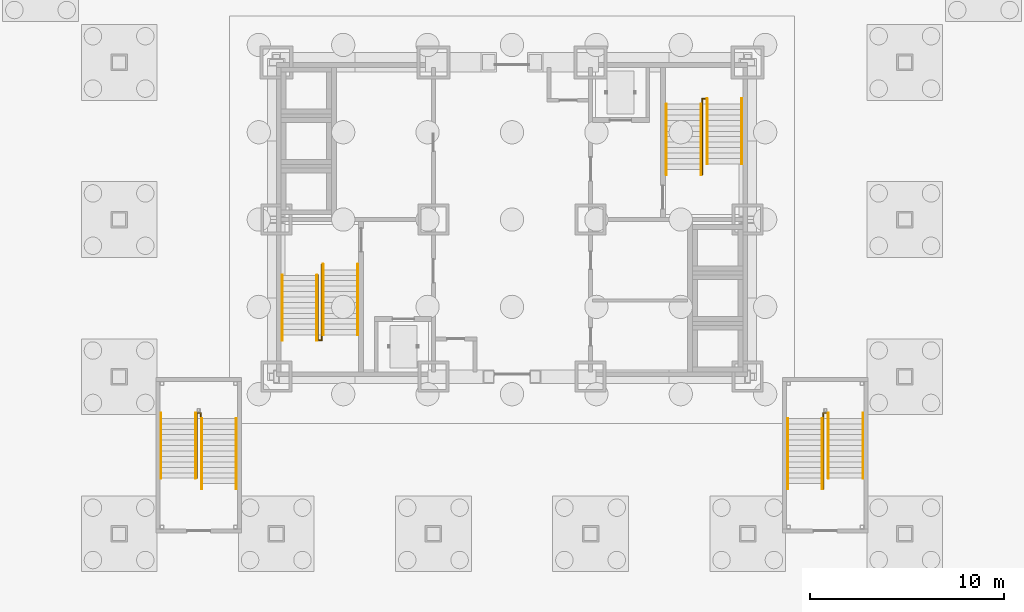
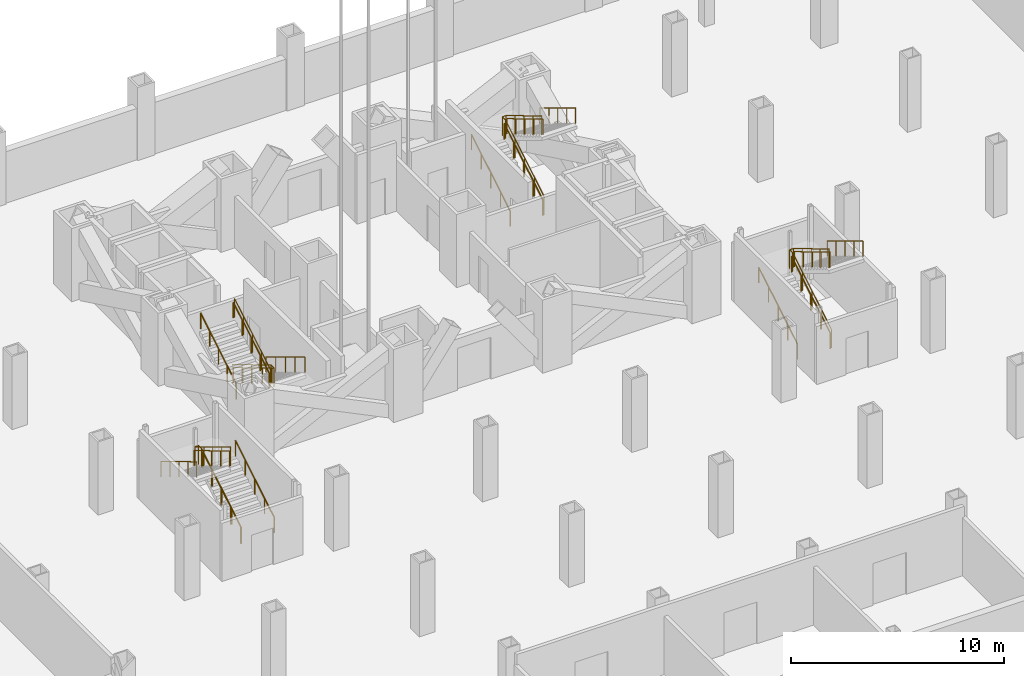
# One storey, part 14 of 17: 20 railings.
"""IFC4 building model written with IfcOpenShell, lengths in metres."""

import ifcopenshell
import ifcopenshell.guid

model = None  # the IFC model being written
_history = None  # IfcOwnerHistory: only IFC2X3 demands one
_inside = {}  # id of a spatial element -> (the spatial element, [elements in it])
_under = {}  # id of a project, library or spatial element -> (it, [spatial elements below it])
_declared = {}  # id of a project -> (the project, [libraries it declares])
_typed = {}  # id of a type object -> (the type object, [elements of that type])
_made_of = {}  # id of a material, layer set ... -> (it, [elements and type objects made of it])


def new_model(schema):
    """Start an empty IFC model of exactly this schema.

    Asked for "IFC4X3", IfcOpenShell would pick the latest addendum, in which some entities
    have other attributes; the version numbers below select the first issue.
    IFC2X3 requires an IfcOwnerHistory on every rooted entity: one is made here for all.
    """
    global model, _history
    if schema == "IFC4X3":
        model = ifcopenshell.file(schema_version=(4, 3, 0, 0))
    else:
        model = ifcopenshell.file(schema=schema)
    _inside.clear()
    _under.clear()
    _declared.clear()
    _typed.clear()
    _made_of.clear()
    _history = None
    if model.schema == "IFC2X3":
        org = make("IfcOrganization", Name="unknown")
        user = make(
            "IfcPersonAndOrganization",
            ThePerson=make("IfcPerson", FamilyName="unknown"),
            TheOrganization=org,
        )
        app = make(
            "IfcApplication",
            ApplicationDeveloper=org,
            Version="unknown",
            ApplicationFullName="unknown",
            ApplicationIdentifier="unknown",
        )
        _history = make(
            "IfcOwnerHistory",
            OwningUser=user,
            OwningApplication=app,
            ChangeAction="ADDED",
            CreationDate=0,
        )
    return model


def make(cls, **values):
    """One entity of the class cls with the attributes given. An attribute that is None is left unset."""
    return model.create_entity(
        cls, **{name: value for name, value in values.items() if value is not None}
    )


def rooted(cls, **values):
    """An entity with a GlobalId (a new one), such as an element, a storey or a relation."""
    return make(cls, GlobalId=ifcopenshell.guid.new(), OwnerHistory=_history, **values)


def si_unit(unit_type, name, prefix=None):
    """IfcSIUnit, for example si_unit("LENGTHUNIT", "METRE", prefix="MILLI")."""
    return make("IfcSIUnit", UnitType=unit_type, Prefix=prefix, Name=name)


def assignment(units):
    """IfcUnitAssignment: the units of a project."""
    return None if units is None else make("IfcUnitAssignment", Units=units)


def point(xyz):
    """IfcCartesianPoint."""
    return None if xyz is None else make("IfcCartesianPoint", Coordinates=xyz)


def direction(xyz):
    """IfcDirection."""
    return None if xyz is None else make("IfcDirection", DirectionRatios=xyz)


def frame(location, z_axis=None, x_axis=None):
    """IfcAxis2Placement3D, a coordinate frame: its origin and axes. An axis left out is left unset."""
    return make(
        "IfcAxis2Placement3D",
        Location=point(location),
        Axis=direction(z_axis),
        RefDirection=direction(x_axis),
    )


def frame_2d(location, x_axis=None):
    """IfcAxis2Placement2D, a coordinate frame in the plane: its origin and x axis."""
    return make(
        "IfcAxis2Placement2D", Location=point(location), RefDirection=direction(x_axis)
    )


def origin():
    """The frame at (0, 0, 0) with its axes left unset."""
    return frame((0.0, 0.0, 0.0))


def origin_2d():
    """The frame at (0, 0) in the plane with its x axis left unset."""
    return frame_2d((0.0, 0.0))


def place(relative_to, where):
    """IfcLocalPlacement: puts the frame where relative to a parent placement (None: the world)."""
    return make(
        "IfcLocalPlacement", PlacementRelTo=relative_to, RelativePlacement=where
    )


def context(
    kind, dimensions, precision=None, world=None, true_north=None, identifier=None
):
    """IfcGeometricRepresentationContext, for example the 3D "Model" context."""
    return make(
        "IfcGeometricRepresentationContext",
        ContextIdentifier=identifier,
        ContextType=kind,
        CoordinateSpaceDimension=dimensions,
        Precision=precision,
        WorldCoordinateSystem=world,
        TrueNorth=true_north,
    )


def subcontext(parent, identifier, kind, view, scale=None):
    """IfcGeometricRepresentationSubContext, for example "Body" below "Model"."""
    return make(
        "IfcGeometricRepresentationSubContext",
        ContextIdentifier=identifier,
        ContextType=kind,
        ParentContext=parent,
        TargetScale=scale,
        TargetView=view,
    )


def project(units=None, contexts=None):
    """IfcProject with its units and contexts."""
    return rooted(
        "IfcProject",
        Name="project",
        RepresentationContexts=contexts,
        UnitsInContext=assignment(units),
    )


def spatial(cls, under=None, at=None, **own):
    """A site, building, storey or space (cls), placed at a placement, below another one or the project."""
    s = rooted(cls, ObjectPlacement=at, **own)
    if under is not None:
        _under.setdefault(under.id(), (under, []))[1].append(s)
    return s


def profile(cls, at=None, kind="AREA", **sizes):
    """A parametric profile (cls). Its sizes go by their IFC names, for example OverallWidth=200.0."""
    return make(cls, ProfileType=kind, Position=at, **sizes)


def circle(**sizes):
    """IfcCircleProfileDef."""
    return profile("IfcCircleProfileDef", **sizes)


def extrude(swept, where, along, depth):
    """IfcExtrudedAreaSolid: the profile swept, set in the frame where, extruded along a direction by depth."""
    return make(
        "IfcExtrudedAreaSolid",
        SweptArea=swept,
        Position=where,
        ExtrudedDirection=direction(along),
        Depth=depth,
    )


def shape(context_of_items, identifier, shape_type, items):
    """IfcShapeRepresentation: the items that make up one representation, for example the "Body"."""
    return make(
        "IfcShapeRepresentation",
        ContextOfItems=context_of_items,
        RepresentationIdentifier=identifier,
        RepresentationType=shape_type,
        Items=items,
    )


def material(Name=None, Category=None):
    """IfcMaterial."""
    return make("IfcMaterial", Name=Name, Category=Category)


def made_of(thing, what):
    """Note that an element or type object is made of a material, layer set ...; save() writes the relation."""
    if what is not None:
        _made_of.setdefault(what.id(), (what, []))[1].append(thing)
    return thing


def type_object(cls, material=None, **own):
    """A type object (cls), such as IfcWallType, which elements share."""
    return made_of(rooted(cls, **own), material)


def element(
    cls,
    number,
    at=None,
    inside=None,
    cuts=None,
    type_object=None,
    material=None,
    context=None,
    identifier="Body",
    shape_type=None,
    held_by="IfcProductDefinitionShape",
    body=None,
    shapes=None,
    **own,
):
    """One element of the class cls, such as IfcWall. Its Tag is "e" and its number.

    at: its placement. inside: the storey or other place that contains it. cuts: it is an
    opening in that element (IfcRelVoidsElement). A single representation is given by context,
    identifier, shape_type and body (its items); several are given by shapes. held_by: the class
    of the entity that holds the representations. save() writes the other relations.
    """
    e = rooted(cls, Tag="e%d" % number, ObjectPlacement=at, **own)
    if body is not None:
        shapes = [shape(context, identifier, shape_type, body)]
    if shapes is not None:
        e.Representation = make(held_by, Representations=shapes)
    if inside is not None:
        _inside.setdefault(inside.id(), (inside, []))[1].append(e)
    if cuts is not None:
        rooted(
            "IfcRelVoidsElement", RelatingBuildingElement=cuts, RelatedOpeningElement=e
        )
    if type_object is not None:
        _typed.setdefault(type_object.id(), (type_object, []))[1].append(e)
    return made_of(e, material)


def aggregate(whole, parts):
    """IfcRelAggregates: a whole, such as a stair, and the parts it consists of."""
    return rooted("IfcRelAggregates", RelatingObject=whole, RelatedObjects=parts)


def save(model, path):
    """Write the relations noted so far, then the file.

    IfcRelAggregates (storeys below a building ...), IfcRelContainedInSpatialStructure (elements
    in a storey), IfcRelDefinesByType, IfcRelAssociatesMaterial and IfcRelDeclares: one each for
    every whole, place, type object, material and project.
    """
    for whole, parts in _under.values():
        aggregate(whole, parts)
    for where, things in _inside.values():
        rooted(
            "IfcRelContainedInSpatialStructure",
            RelatedElements=things,
            RelatingStructure=where,
        )
    for kind, things in _typed.values():
        rooted("IfcRelDefinesByType", RelatedObjects=things, RelatingType=kind)
    for what, things in _made_of.values():
        rooted("IfcRelAssociatesMaterial", RelatedObjects=things, RelatingMaterial=what)
    for by, libraries in _declared.values():
        rooted("IfcRelDeclares", RelatingContext=by, RelatedDefinitions=libraries)
    model.write(path)


model = new_model("IFC4")

# Units and contexts
model_context = context("Model", 3, precision=1e-05, world=origin(), true_north=direction((0.0, 1.0)))
body_context = subcontext(model_context, "Body", "Model", "MODEL_VIEW")
ifc_project = project(units=[si_unit("LENGTHUNIT", "METRE"), si_unit("AREAUNIT", "SQUARE_METRE"), si_unit("VOLUMEUNIT", "CUBIC_METRE"), si_unit("PLANEANGLEUNIT", "RADIAN"), si_unit("MASSUNIT", "GRAM", prefix="KILO")], contexts=[model_context])

# Site, building, storey
site_placement = place(None, origin())
site = spatial("IfcSite", under=ifc_project, at=site_placement, CompositionType="ELEMENT")
building_placement = place(site_placement, origin())
building = spatial("IfcBuilding", under=site, at=building_placement, Name="Kopane Lantern Tower", CompositionType="ELEMENT")
storey_placement = place(building_placement, frame((0.0, 0.0, -8.39990234375)))
storey = spatial("IfcBuildingStorey", under=building, at=storey_placement, Name="L-02", CompositionType="ELEMENT", Elevation=-8.39990234375)

# Railings
ifc_material_1 = material(Name="Steel", Category="steel")
railing_type_1 = type_object("IfcRailingType", Name="STAIR GUARD 1100", PredefinedType="GUARDRAIL", material=ifc_material_1)
railing_1_placement = place(storey_placement, frame((18.550048828125, 30.090087890625, 0.0)))
element("IfcRailing", 1, at=railing_1_placement, inside=storey, type_object=railing_type_1, Name="ST1 well guard L-02", PredefinedType="GUARDRAIL", context=body_context, shape_type="SweptSolid", body=[
    extrude(circle(Radius=0.02392578125, at=origin_2d()), frame((0.0, 0.0, 1.076171875), z_axis=(0.0, -0.857518298036, 0.514453465858), x_axis=(1.0, 0.0, 0.0)), (0.0, 0.0, 1.0), 4.244873046875),
    extrude(circle(Radius=0.02392578125, at=origin_2d()), frame((0.0, -3.64013671875, 3.259765625), z_axis=(0.0, -1.0, 0.0), x_axis=(1.0, 0.0, 0.0)), (0.0, 0.0, 1.0), 0.280029296875),
    extrude(circle(Radius=0.02392578125, at=origin_2d()), frame((0.0, -3.920166015625, 3.259765625), z_axis=(-1.0, 0.0, 0.0), x_axis=(0.0, -1.0, 0.0)), (0.0, 0.0, 1.0), 0.199951171875),
    extrude(circle(Radius=0.02392578125, at=origin_2d()), frame((-0.199951171875, -3.920166015625, 3.259765625), z_axis=(0.0, 0.857487428268, 0.514504917724), x_axis=(-1.0, 0.0, 0.0)), (0.0, 0.0, 1.0), 3.91845703125),
    extrude(circle(Radius=0.02099609375, at=origin_2d()), origin(), (0.0, 0.0, 1.0), 1.052001953125),
    extrude(circle(Radius=0.02099609375, at=origin_2d()), frame((0.0, -0.91015625, 0.5458984375)), (0.0, 0.0, 1.0), 1.052001953125),
    extrude(circle(Radius=0.02099609375, at=origin_2d()), frame((0.0, -1.820068359375, 1.091796875)), (0.0, 0.0, 1.0), 1.052001953125),
    extrude(circle(Radius=0.02099609375, at=origin_2d()), frame((0.0, -2.72998046875, 1.637939453125)), (0.0, 0.0, 1.0), 1.052001953125),
    extrude(circle(Radius=0.02099609375, at=origin_2d()), frame((0.0, -3.64013671875, 2.183837890625)), (0.0, 0.0, 1.0), 1.052001953125),
    extrude(circle(Radius=0.02099609375, at=origin_2d()), frame((0.0, -3.920166015625, 2.183837890625)), (0.0, 0.0, 1.0), 1.052001953125),
    extrude(circle(Radius=0.02099609375, at=origin_2d()), frame((-0.199951171875, -3.920166015625, 2.183837890625)), (0.0, 0.0, 1.0), 1.052001953125),
    extrude(circle(Radius=0.02099609375, at=origin_2d()), frame((-0.199951171875, -3.080078125, 2.68798828125)), (0.0, 0.0, 1.0), 1.052001953125),
    extrude(circle(Radius=0.02099609375, at=origin_2d()), frame((-0.199951171875, -2.240234375, 3.19189453125)), (0.0, 0.0, 1.0), 1.052001953125),
    extrude(circle(Radius=0.02099609375, at=origin_2d()), frame((-0.199951171875, -1.400146484375, 3.69580078125)), (0.0, 0.0, 1.0), 1.052001953125),
    extrude(circle(Radius=0.02099609375, at=origin_2d()), frame((-0.199951171875, -0.56005859375, 4.199951171875)), (0.0, 0.0, 1.0), 1.052001953125),
])
railing_2_placement = place(storey_placement, frame((38.14990234375, 34.7099609375, 0.0)))
element("IfcRailing", 2, at=railing_2_placement, inside=storey, type_object=railing_type_1, Name="ST2 well guard L-02", PredefinedType="GUARDRAIL", context=body_context, shape_type="SweptSolid", body=[
    extrude(circle(Radius=0.02392578125, at=origin_2d()), frame((0.0, 0.0, 1.076171875), z_axis=(0.0, 0.857518298036, 0.514453465858), x_axis=(-1.0, 0.0, 0.0)), (0.0, 0.0, 1.0), 4.244873046875),
    extrude(circle(Radius=0.02392578125, at=origin_2d()), frame((0.0, 3.64013671875, 3.259765625), z_axis=(0.0, 1.0, 0.0), x_axis=(-1.0, 0.0, 0.0)), (0.0, 0.0, 1.0), 0.27978515625),
    extrude(circle(Radius=0.02392578125, at=origin_2d()), frame((0.0, 3.919921875, 3.259765625), z_axis=(1.0, 0.0, 0.0), x_axis=(0.0, 1.0, 0.0)), (0.0, 0.0, 1.0), 0.2001953125),
    extrude(circle(Radius=0.02392578125, at=origin_2d()), frame((0.2001953125, 3.919921875, 3.259765625), z_axis=(0.0, -0.857470934172, 0.51453240622), x_axis=(1.0, 0.0, 0.0)), (0.0, 0.0, 1.0), 3.91845703125),
    extrude(circle(Radius=0.02099609375, at=origin_2d()), origin(), (0.0, 0.0, 1.0), 1.052001953125),
    extrude(circle(Radius=0.02099609375, at=origin_2d()), frame((0.0, 0.91015625, 0.5458984375)), (0.0, 0.0, 1.0), 1.052001953125),
    extrude(circle(Radius=0.02099609375, at=origin_2d()), frame((0.0, 1.820068359375, 1.091796875)), (0.0, 0.0, 1.0), 1.052001953125),
    extrude(circle(Radius=0.02099609375, at=origin_2d()), frame((0.0, 2.72998046875, 1.637939453125)), (0.0, 0.0, 1.0), 1.052001953125),
    extrude(circle(Radius=0.02099609375, at=origin_2d()), frame((0.0, 3.64013671875, 2.183837890625)), (0.0, 0.0, 1.0), 1.052001953125),
    extrude(circle(Radius=0.02099609375, at=origin_2d()), frame((0.0, 3.919921875, 2.183837890625)), (0.0, 0.0, 1.0), 1.052001953125),
    extrude(circle(Radius=0.02099609375, at=origin_2d()), frame((0.2001953125, 3.919921875, 2.183837890625)), (0.0, 0.0, 1.0), 1.052001953125),
    extrude(circle(Radius=0.02099609375, at=origin_2d()), frame((0.2001953125, 3.080078125, 2.68798828125)), (0.0, 0.0, 1.0), 1.052001953125),
    extrude(circle(Radius=0.02099609375, at=origin_2d()), frame((0.2001953125, 2.239990234375, 3.19189453125)), (0.0, 0.0, 1.0), 1.052001953125),
    extrude(circle(Radius=0.02099609375, at=origin_2d()), frame((0.2001953125, 1.39990234375, 3.69580078125)), (0.0, 0.0, 1.0), 1.052001953125),
    extrude(circle(Radius=0.02099609375, at=origin_2d()), frame((0.2001953125, 0.56005859375, 4.199951171875)), (0.0, 0.0, 1.0), 1.052001953125),
])
railing_3_placement = place(storey_placement, frame((12.300048828125, 18.510009765625, 0.0)))
element("IfcRailing", 3, at=railing_3_placement, inside=storey, type_object=railing_type_1, Name="ST3 well guard L-02", PredefinedType="GUARDRAIL", context=body_context, shape_type="SweptSolid", body=[
    extrude(circle(Radius=0.02392578125, at=origin_2d()), frame((0.0, 0.0, 1.076171875), z_axis=(0.0, 0.857503075393, 0.514478838915), x_axis=(-1.0, 0.0, 0.0)), (0.0, 0.0, 1.0), 4.244873046875),
    extrude(circle(Radius=0.02392578125, at=origin_2d()), frame((0.0, 3.639892578125, 3.259765625), z_axis=(0.0, 1.0, 0.0), x_axis=(-1.0, 0.0, 0.0)), (0.0, 0.0, 1.0), 0.280029296875),
    extrude(circle(Radius=0.02392578125, at=origin_2d()), frame((0.0, 3.919921875, 3.259765625), z_axis=(-1.0, 0.0, 0.0), x_axis=(0.0, -1.0, 0.0)), (0.0, 0.0, 1.0), 0.199951171875),
    extrude(circle(Radius=0.02392578125, at=origin_2d()), frame((-0.199951171875, 3.919921875, 3.259765625), z_axis=(0.0, -0.857470934172, 0.51453240622), x_axis=(1.0, 0.0, 0.0)), (0.0, 0.0, 1.0), 3.91845703125),
    extrude(circle(Radius=0.02099609375, at=origin_2d()), origin(), (0.0, 0.0, 1.0), 1.052001953125),
    extrude(circle(Radius=0.02099609375, at=origin_2d()), frame((0.0, 0.909912109375, 0.5458984375)), (0.0, 0.0, 1.0), 1.052001953125),
    extrude(circle(Radius=0.02099609375, at=origin_2d()), frame((0.0, 1.81982421875, 1.091796875)), (0.0, 0.0, 1.0), 1.052001953125),
    extrude(circle(Radius=0.02099609375, at=origin_2d()), frame((0.0, 2.72998046875, 1.637939453125)), (0.0, 0.0, 1.0), 1.052001953125),
    extrude(circle(Radius=0.02099609375, at=origin_2d()), frame((0.0, 3.639892578125, 2.183837890625)), (0.0, 0.0, 1.0), 1.052001953125),
    extrude(circle(Radius=0.02099609375, at=origin_2d()), frame((0.0, 3.919921875, 2.183837890625)), (0.0, 0.0, 1.0), 1.052001953125),
    extrude(circle(Radius=0.02099609375, at=origin_2d()), frame((-0.199951171875, 3.919921875, 2.183837890625)), (0.0, 0.0, 1.0), 1.052001953125),
    extrude(circle(Radius=0.02099609375, at=origin_2d()), frame((-0.199951171875, 3.080078125, 2.68798828125)), (0.0, 0.0, 1.0), 1.052001953125),
    extrude(circle(Radius=0.02099609375, at=origin_2d()), frame((-0.199951171875, 2.239990234375, 3.19189453125)), (0.0, 0.0, 1.0), 1.052001953125),
    extrude(circle(Radius=0.02099609375, at=origin_2d()), frame((-0.199951171875, 1.39990234375, 3.69580078125)), (0.0, 0.0, 1.0), 1.052001953125),
    extrude(circle(Radius=0.02099609375, at=origin_2d()), frame((-0.199951171875, 0.56005859375, 4.199951171875)), (0.0, 0.0, 1.0), 1.052001953125),
])
railing_4_placement = place(storey_placement, frame((44.39990234375, 18.510009765625, 0.0)))
element("IfcRailing", 4, at=railing_4_placement, inside=storey, type_object=railing_type_1, Name="ST4 well guard L-02", PredefinedType="GUARDRAIL", context=body_context, shape_type="SweptSolid", body=[
    extrude(circle(Radius=0.02392578125, at=origin_2d()), frame((0.0, 0.0, 1.076171875), z_axis=(0.0, 0.857503075393, 0.514478838915), x_axis=(-1.0, 0.0, 0.0)), (0.0, 0.0, 1.0), 4.244873046875),
    extrude(circle(Radius=0.02392578125, at=origin_2d()), frame((0.0, 3.639892578125, 3.259765625), z_axis=(0.0, 1.0, 0.0), x_axis=(-1.0, 0.0, 0.0)), (0.0, 0.0, 1.0), 0.280029296875),
    extrude(circle(Radius=0.02392578125, at=origin_2d()), frame((0.0, 3.919921875, 3.259765625), z_axis=(1.0, 0.0, 0.0), x_axis=(0.0, 1.0, 0.0)), (0.0, 0.0, 1.0), 0.2001953125),
    extrude(circle(Radius=0.02392578125, at=origin_2d()), frame((0.2001953125, 3.919921875, 3.259765625), z_axis=(0.0, -0.857470934172, 0.51453240622), x_axis=(1.0, 0.0, 0.0)), (0.0, 0.0, 1.0), 3.91845703125),
    extrude(circle(Radius=0.02099609375, at=origin_2d()), origin(), (0.0, 0.0, 1.0), 1.052001953125),
    extrude(circle(Radius=0.02099609375, at=origin_2d()), frame((0.0, 0.909912109375, 0.5458984375)), (0.0, 0.0, 1.0), 1.052001953125),
    extrude(circle(Radius=0.02099609375, at=origin_2d()), frame((0.0, 1.81982421875, 1.091796875)), (0.0, 0.0, 1.0), 1.052001953125),
    extrude(circle(Radius=0.02099609375, at=origin_2d()), frame((0.0, 2.72998046875, 1.637939453125)), (0.0, 0.0, 1.0), 1.052001953125),
    extrude(circle(Radius=0.02099609375, at=origin_2d()), frame((0.0, 3.639892578125, 2.183837890625)), (0.0, 0.0, 1.0), 1.052001953125),
    extrude(circle(Radius=0.02099609375, at=origin_2d()), frame((0.0, 3.919921875, 2.183837890625)), (0.0, 0.0, 1.0), 1.052001953125),
    extrude(circle(Radius=0.02099609375, at=origin_2d()), frame((0.2001953125, 3.919921875, 2.183837890625)), (0.0, 0.0, 1.0), 1.052001953125),
    extrude(circle(Radius=0.02099609375, at=origin_2d()), frame((0.2001953125, 3.080078125, 2.68798828125)), (0.0, 0.0, 1.0), 1.052001953125),
    extrude(circle(Radius=0.02099609375, at=origin_2d()), frame((0.2001953125, 2.239990234375, 3.19189453125)), (0.0, 0.0, 1.0), 1.052001953125),
    extrude(circle(Radius=0.02099609375, at=origin_2d()), frame((0.2001953125, 1.39990234375, 3.69580078125)), (0.0, 0.0, 1.0), 1.052001953125),
    extrude(circle(Radius=0.02099609375, at=origin_2d()), frame((0.2001953125, 0.56005859375, 4.199951171875)), (0.0, 0.0, 1.0), 1.052001953125),
])
ifc_material_2 = material(Name="Steel", Category="steel")
railing_type_2 = type_object("IfcRailingType", Name="STAIR HANDRAIL 900", PredefinedType="HANDRAIL", material=ifc_material_2)
for number, where, name in (
    (5, (20.389892578125, 30.090087890625, 0.0), "ST1 handrail L-02 flight 1"),
    (6, (18.610107421875, 30.090087890625, 0.0), "ST1 handrail L-02 flight 1"),
):
    element("IfcRailing", number, at=place(storey_placement, frame(where)), inside=storey, type_object=railing_type_2, Name=name, PredefinedType="HANDRAIL", context=body_context, shape_type="SweptSolid", body=[
        extrude(circle(Radius=0.02392578125, at=origin_2d()), frame((0.0, 0.0, 0.8759765625), z_axis=(0.0, -0.857518298036, 0.514453465858), x_axis=(1.0, 0.0, 0.0)), (0.0, 0.0, 1.0), 4.244873046875),
        extrude(circle(Radius=0.02099609375, at=origin_2d()), origin(), (0.0, 0.0, 1.0), 0.851806640625),
        extrude(circle(Radius=0.02099609375, at=origin_2d()), frame((0.0, -0.91015625, 0.5458984375)), (0.0, 0.0, 1.0), 0.851806640625),
        extrude(circle(Radius=0.02099609375, at=origin_2d()), frame((0.0, -1.820068359375, 1.091796875)), (0.0, 0.0, 1.0), 0.851806640625),
        extrude(circle(Radius=0.02099609375, at=origin_2d()), frame((0.0, -2.72998046875, 1.637939453125)), (0.0, 0.0, 1.0), 0.851806640625),
        extrude(circle(Radius=0.02099609375, at=origin_2d()), frame((0.0, -3.64013671875, 2.183837890625)), (0.0, 0.0, 1.0), 0.851806640625),
    ])
for number, where, name in (
    (7, (16.510009765625, 26.169921875, 2.183837890625), "ST1 handrail L-02 flight 2"),
    (8, (18.2900390625, 26.169921875, 2.183837890625), "ST1 handrail L-02 flight 2"),
):
    element("IfcRailing", number, at=place(storey_placement, frame(where)), inside=storey, type_object=railing_type_2, Name=name, PredefinedType="HANDRAIL", context=body_context, shape_type="SweptSolid", body=[
        extrude(circle(Radius=0.02392578125, at=origin_2d()), frame((0.0, 0.0, 0.8759765625), z_axis=(0.0, 0.857487428268, 0.514504917724), x_axis=(-1.0, 0.0, 0.0)), (0.0, 0.0, 1.0), 3.91845703125),
        extrude(circle(Radius=0.02099609375, at=origin_2d()), origin(), (0.0, 0.0, 1.0), 0.851806640625),
        extrude(circle(Radius=0.02099609375, at=origin_2d()), frame((0.0, 0.840087890625, 0.50390625)), (0.0, 0.0, 1.0), 0.851806640625),
        extrude(circle(Radius=0.02099609375, at=origin_2d()), frame((0.0, 1.68017578125, 1.008056640625)), (0.0, 0.0, 1.0), 0.851806640625),
        extrude(circle(Radius=0.02099609375, at=origin_2d()), frame((0.0, 2.52001953125, 1.51220703125)), (0.0, 0.0, 1.0), 0.851806640625),
        extrude(circle(Radius=0.02099609375, at=origin_2d()), frame((0.0, 3.360107421875, 2.01611328125)), (0.0, 0.0, 1.0), 0.851806640625),
    ])
for number, where, name in (
    (9, (36.31005859375, 34.7099609375, 0.0), "ST2 handrail L-02 flight 1"),
    (10, (38.090087890625, 34.7099609375, 0.0), "ST2 handrail L-02 flight 1"),
):
    element("IfcRailing", number, at=place(storey_placement, frame(where)), inside=storey, type_object=railing_type_2, Name=name, PredefinedType="HANDRAIL", context=body_context, shape_type="SweptSolid", body=[
        extrude(circle(Radius=0.02392578125, at=origin_2d()), frame((0.0, 0.0, 0.8759765625), z_axis=(0.0, 0.857518298036, 0.514453465858), x_axis=(-1.0, 0.0, 0.0)), (0.0, 0.0, 1.0), 4.244873046875),
        extrude(circle(Radius=0.02099609375, at=origin_2d()), origin(), (0.0, 0.0, 1.0), 0.851806640625),
        extrude(circle(Radius=0.02099609375, at=origin_2d()), frame((0.0, 0.91015625, 0.5458984375)), (0.0, 0.0, 1.0), 0.851806640625),
        extrude(circle(Radius=0.02099609375, at=origin_2d()), frame((0.0, 1.820068359375, 1.091796875)), (0.0, 0.0, 1.0), 0.851806640625),
        extrude(circle(Radius=0.02099609375, at=origin_2d()), frame((0.0, 2.72998046875, 1.637939453125)), (0.0, 0.0, 1.0), 0.851806640625),
        extrude(circle(Radius=0.02099609375, at=origin_2d()), frame((0.0, 3.64013671875, 2.183837890625)), (0.0, 0.0, 1.0), 0.851806640625),
    ])
for number, where, name in (
    (11, (40.18994140625, 38.6298828125, 2.183837890625), "ST2 handrail L-02 flight 2"),
    (12, (38.409912109375, 38.6298828125, 2.183837890625), "ST2 handrail L-02 flight 2"),
):
    element("IfcRailing", number, at=place(storey_placement, frame(where)), inside=storey, type_object=railing_type_2, Name=name, PredefinedType="HANDRAIL", context=body_context, shape_type="SweptSolid", body=[
        extrude(circle(Radius=0.02392578125, at=origin_2d()), frame((0.0, 0.0, 0.8759765625), z_axis=(0.0, -0.857470934172, 0.51453240622), x_axis=(1.0, 0.0, 0.0)), (0.0, 0.0, 1.0), 3.91845703125),
        extrude(circle(Radius=0.02099609375, at=origin_2d()), origin(), (0.0, 0.0, 1.0), 0.851806640625),
        extrude(circle(Radius=0.02099609375, at=origin_2d()), frame((0.0, -0.83984375, 0.50390625)), (0.0, 0.0, 1.0), 0.851806640625),
        extrude(circle(Radius=0.02099609375, at=origin_2d()), frame((0.0, -1.679931640625, 1.008056640625)), (0.0, 0.0, 1.0), 0.851806640625),
        extrude(circle(Radius=0.02099609375, at=origin_2d()), frame((0.0, -2.52001953125, 1.51220703125)), (0.0, 0.0, 1.0), 0.851806640625),
        extrude(circle(Radius=0.02099609375, at=origin_2d()), frame((0.0, -3.35986328125, 2.01611328125)), (0.0, 0.0, 1.0), 0.851806640625),
    ])
for number, where, name in (
    (13, (14.139892578125, 18.510009765625, 0.0), "ST3 handrail L-02 flight 1"),
    (14, (12.360107421875, 18.510009765625, 0.0), "ST3 handrail L-02 flight 1"),
):
    element("IfcRailing", number, at=place(storey_placement, frame(where)), inside=storey, type_object=railing_type_2, Name=name, PredefinedType="HANDRAIL", context=body_context, shape_type="SweptSolid", body=[
        extrude(circle(Radius=0.02392578125, at=origin_2d()), frame((0.0, 0.0, 0.8759765625), z_axis=(0.0, 0.857503075393, 0.514478838915), x_axis=(-1.0, 0.0, 0.0)), (0.0, 0.0, 1.0), 4.244873046875),
        extrude(circle(Radius=0.02099609375, at=origin_2d()), origin(), (0.0, 0.0, 1.0), 0.851806640625),
        extrude(circle(Radius=0.02099609375, at=origin_2d()), frame((0.0, 0.909912109375, 0.5458984375)), (0.0, 0.0, 1.0), 0.851806640625),
        extrude(circle(Radius=0.02099609375, at=origin_2d()), frame((0.0, 1.81982421875, 1.091796875)), (0.0, 0.0, 1.0), 0.851806640625),
        extrude(circle(Radius=0.02099609375, at=origin_2d()), frame((0.0, 2.72998046875, 1.637939453125)), (0.0, 0.0, 1.0), 0.851806640625),
        extrude(circle(Radius=0.02099609375, at=origin_2d()), frame((0.0, 3.639892578125, 2.183837890625)), (0.0, 0.0, 1.0), 0.851806640625),
    ])
for number, where, name in (
    (15, (10.260009765625, 22.429931640625, 2.183837890625), "ST3 handrail L-02 flight 2"),
    (16, (12.0400390625, 22.429931640625, 2.183837890625), "ST3 handrail L-02 flight 2"),
):
    element("IfcRailing", number, at=place(storey_placement, frame(where)), inside=storey, type_object=railing_type_2, Name=name, PredefinedType="HANDRAIL", context=body_context, shape_type="SweptSolid", body=[
        extrude(circle(Radius=0.02392578125, at=origin_2d()), frame((0.0, 0.0, 0.8759765625), z_axis=(0.0, -0.857470934172, 0.51453240622), x_axis=(1.0, 0.0, 0.0)), (0.0, 0.0, 1.0), 3.91845703125),
        extrude(circle(Radius=0.02099609375, at=origin_2d()), origin(), (0.0, 0.0, 1.0), 0.851806640625),
        extrude(circle(Radius=0.02099609375, at=origin_2d()), frame((0.0, -0.83984375, 0.50390625)), (0.0, 0.0, 1.0), 0.851806640625),
        extrude(circle(Radius=0.02099609375, at=origin_2d()), frame((0.0, -1.679931640625, 1.008056640625)), (0.0, 0.0, 1.0), 0.851806640625),
        extrude(circle(Radius=0.02099609375, at=origin_2d()), frame((0.0, -2.52001953125, 1.51220703125)), (0.0, 0.0, 1.0), 0.851806640625),
        extrude(circle(Radius=0.02099609375, at=origin_2d()), frame((0.0, -3.35986328125, 2.01611328125)), (0.0, 0.0, 1.0), 0.851806640625),
    ])
for number, where, name in (
    (17, (42.56005859375, 18.510009765625, 0.0), "ST4 handrail L-02 flight 1"),
    (18, (44.340087890625, 18.510009765625, 0.0), "ST4 handrail L-02 flight 1"),
):
    element("IfcRailing", number, at=place(storey_placement, frame(where)), inside=storey, type_object=railing_type_2, Name=name, PredefinedType="HANDRAIL", context=body_context, shape_type="SweptSolid", body=[
        extrude(circle(Radius=0.02392578125, at=origin_2d()), frame((0.0, 0.0, 0.8759765625), z_axis=(0.0, 0.857503075393, 0.514478838915), x_axis=(-1.0, 0.0, 0.0)), (0.0, 0.0, 1.0), 4.244873046875),
        extrude(circle(Radius=0.02099609375, at=origin_2d()), origin(), (0.0, 0.0, 1.0), 0.851806640625),
        extrude(circle(Radius=0.02099609375, at=origin_2d()), frame((0.0, 0.909912109375, 0.5458984375)), (0.0, 0.0, 1.0), 0.851806640625),
        extrude(circle(Radius=0.02099609375, at=origin_2d()), frame((0.0, 1.81982421875, 1.091796875)), (0.0, 0.0, 1.0), 0.851806640625),
        extrude(circle(Radius=0.02099609375, at=origin_2d()), frame((0.0, 2.72998046875, 1.637939453125)), (0.0, 0.0, 1.0), 0.851806640625),
        extrude(circle(Radius=0.02099609375, at=origin_2d()), frame((0.0, 3.639892578125, 2.183837890625)), (0.0, 0.0, 1.0), 0.851806640625),
    ])
for number, where, name in (
    (19, (46.43994140625, 22.429931640625, 2.183837890625), "ST4 handrail L-02 flight 2"),
    (20, (44.659912109375, 22.429931640625, 2.183837890625), "ST4 handrail L-02 flight 2"),
):
    element("IfcRailing", number, at=place(storey_placement, frame(where)), inside=storey, type_object=railing_type_2, Name=name, PredefinedType="HANDRAIL", context=body_context, shape_type="SweptSolid", body=[
        extrude(circle(Radius=0.02392578125, at=origin_2d()), frame((0.0, 0.0, 0.8759765625), z_axis=(0.0, -0.857470934172, 0.51453240622), x_axis=(1.0, 0.0, 0.0)), (0.0, 0.0, 1.0), 3.91845703125),
        extrude(circle(Radius=0.02099609375, at=origin_2d()), origin(), (0.0, 0.0, 1.0), 0.851806640625),
        extrude(circle(Radius=0.02099609375, at=origin_2d()), frame((0.0, -0.83984375, 0.50390625)), (0.0, 0.0, 1.0), 0.851806640625),
        extrude(circle(Radius=0.02099609375, at=origin_2d()), frame((0.0, -1.679931640625, 1.008056640625)), (0.0, 0.0, 1.0), 0.851806640625),
        extrude(circle(Radius=0.02099609375, at=origin_2d()), frame((0.0, -2.52001953125, 1.51220703125)), (0.0, 0.0, 1.0), 0.851806640625),
        extrude(circle(Radius=0.02099609375, at=origin_2d()), frame((0.0, -3.35986328125, 2.01611328125)), (0.0, 0.0, 1.0), 0.851806640625),
    ])

save(model, "model.ifc")
